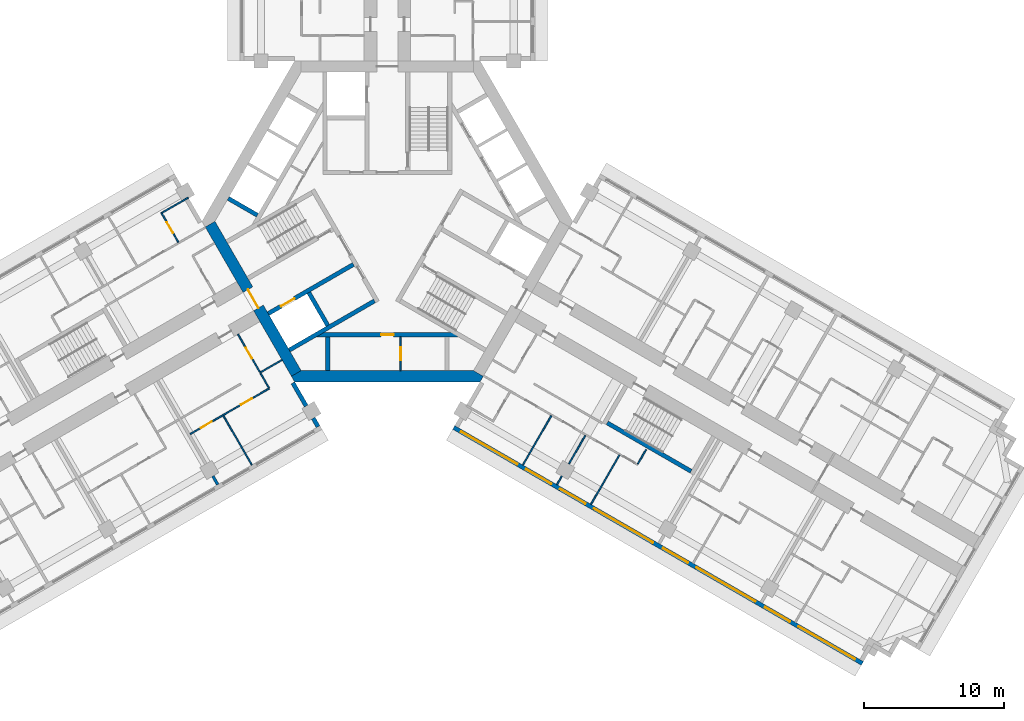
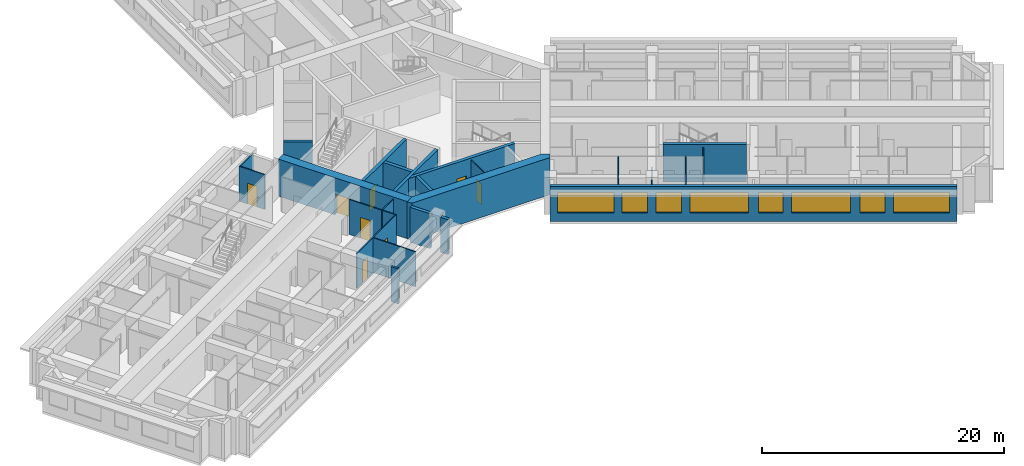
# One storey, part 6 of 14: 26 walls, 8 doors, 8 windows, 16 openings.
"""IFC4 building model written with IfcOpenShell, lengths in metres."""

import ifcopenshell
import ifcopenshell.guid

model = None  # the IFC model being written
_history = None  # IfcOwnerHistory: only IFC2X3 demands one
_inside = {}  # id of a spatial element -> (the spatial element, [elements in it])
_under = {}  # id of a project, library or spatial element -> (it, [spatial elements below it])
_declared = {}  # id of a project -> (the project, [libraries it declares])
_typed = {}  # id of a type object -> (the type object, [elements of that type])
_made_of = {}  # id of a material, layer set ... -> (it, [elements and type objects made of it])


def new_model(schema):
    """Start an empty IFC model of exactly this schema.

    Asked for "IFC4X3", IfcOpenShell would pick the latest addendum, in which some entities
    have other attributes; the version numbers below select the first issue.
    IFC2X3 requires an IfcOwnerHistory on every rooted entity: one is made here for all.
    """
    global model, _history
    if schema == "IFC4X3":
        model = ifcopenshell.file(schema_version=(4, 3, 0, 0))
    else:
        model = ifcopenshell.file(schema=schema)
    _inside.clear()
    _under.clear()
    _declared.clear()
    _typed.clear()
    _made_of.clear()
    _history = None
    if model.schema == "IFC2X3":
        org = make("IfcOrganization", Name="unknown")
        user = make(
            "IfcPersonAndOrganization",
            ThePerson=make("IfcPerson", FamilyName="unknown"),
            TheOrganization=org,
        )
        app = make(
            "IfcApplication",
            ApplicationDeveloper=org,
            Version="unknown",
            ApplicationFullName="unknown",
            ApplicationIdentifier="unknown",
        )
        _history = make(
            "IfcOwnerHistory",
            OwningUser=user,
            OwningApplication=app,
            ChangeAction="ADDED",
            CreationDate=0,
        )
    return model


def make(cls, **values):
    """One entity of the class cls with the attributes given. An attribute that is None is left unset."""
    return model.create_entity(
        cls, **{name: value for name, value in values.items() if value is not None}
    )


def rooted(cls, **values):
    """An entity with a GlobalId (a new one), such as an element, a storey or a relation."""
    return make(cls, GlobalId=ifcopenshell.guid.new(), OwnerHistory=_history, **values)


def si_unit(unit_type, name, prefix=None):
    """IfcSIUnit, for example si_unit("LENGTHUNIT", "METRE", prefix="MILLI")."""
    return make("IfcSIUnit", UnitType=unit_type, Prefix=prefix, Name=name)


def assignment(units):
    """IfcUnitAssignment: the units of a project."""
    return None if units is None else make("IfcUnitAssignment", Units=units)


def point(xyz):
    """IfcCartesianPoint."""
    return None if xyz is None else make("IfcCartesianPoint", Coordinates=xyz)


def direction(xyz):
    """IfcDirection."""
    return None if xyz is None else make("IfcDirection", DirectionRatios=xyz)


def frame(location, z_axis=None, x_axis=None):
    """IfcAxis2Placement3D, a coordinate frame: its origin and axes. An axis left out is left unset."""
    return make(
        "IfcAxis2Placement3D",
        Location=point(location),
        Axis=direction(z_axis),
        RefDirection=direction(x_axis),
    )


def frame_2d(location, x_axis=None):
    """IfcAxis2Placement2D, a coordinate frame in the plane: its origin and x axis."""
    return make(
        "IfcAxis2Placement2D", Location=point(location), RefDirection=direction(x_axis)
    )


def origin():
    """The frame at (0, 0, 0) with its axes left unset."""
    return frame((0.0, 0.0, 0.0))


def place(relative_to, where):
    """IfcLocalPlacement: puts the frame where relative to a parent placement (None: the world)."""
    return make(
        "IfcLocalPlacement", PlacementRelTo=relative_to, RelativePlacement=where
    )


def context(
    kind, dimensions, precision=None, world=None, true_north=None, identifier=None
):
    """IfcGeometricRepresentationContext, for example the 3D "Model" context."""
    return make(
        "IfcGeometricRepresentationContext",
        ContextIdentifier=identifier,
        ContextType=kind,
        CoordinateSpaceDimension=dimensions,
        Precision=precision,
        WorldCoordinateSystem=world,
        TrueNorth=true_north,
    )


def subcontext(parent, identifier, kind, view, scale=None):
    """IfcGeometricRepresentationSubContext, for example "Body" below "Model"."""
    return make(
        "IfcGeometricRepresentationSubContext",
        ContextIdentifier=identifier,
        ContextType=kind,
        ParentContext=parent,
        TargetScale=scale,
        TargetView=view,
    )


def project(units=None, contexts=None):
    """IfcProject with its units and contexts."""
    return rooted(
        "IfcProject",
        Name="project",
        RepresentationContexts=contexts,
        UnitsInContext=assignment(units),
    )


def spatial(cls, under=None, at=None, **own):
    """A site, building, storey or space (cls), placed at a placement, below another one or the project."""
    s = rooted(cls, ObjectPlacement=at, **own)
    if under is not None:
        _under.setdefault(under.id(), (under, []))[1].append(s)
    return s


def polyline(points):
    """IfcPolyline through the points."""
    return make("IfcPolyline", Points=[point(p) for p in points])


def profile(cls, at=None, kind="AREA", **sizes):
    """A parametric profile (cls). Its sizes go by their IFC names, for example OverallWidth=200.0."""
    return make(cls, ProfileType=kind, Position=at, **sizes)


def rectangle(**sizes):
    """IfcRectangleProfileDef."""
    return profile("IfcRectangleProfileDef", **sizes)


def outline(outer, holes=None, kind="AREA"):
    """IfcArbitraryClosedProfileDef: a profile drawn as a closed curve; with holes, ...WithVoids."""
    if holes is None:
        return make("IfcArbitraryClosedProfileDef", ProfileType=kind, OuterCurve=outer)
    return make(
        "IfcArbitraryProfileDefWithVoids",
        ProfileType=kind,
        OuterCurve=outer,
        InnerCurves=holes,
    )


def extrude(swept, where, along, depth):
    """IfcExtrudedAreaSolid: the profile swept, set in the frame where, extruded along a direction by depth."""
    return make(
        "IfcExtrudedAreaSolid",
        SweptArea=swept,
        Position=where,
        ExtrudedDirection=direction(along),
        Depth=depth,
    )


def shape(context_of_items, identifier, shape_type, items):
    """IfcShapeRepresentation: the items that make up one representation, for example the "Body"."""
    return make(
        "IfcShapeRepresentation",
        ContextOfItems=context_of_items,
        RepresentationIdentifier=identifier,
        RepresentationType=shape_type,
        Items=items,
    )


def material(Name=None, Category=None):
    """IfcMaterial."""
    return make("IfcMaterial", Name=Name, Category=Category)


def layer(
    of_material, thickness, ventilated=None, Name=None, Category=None, Priority=None
):
    """IfcMaterialLayer: one layer of a wall or slab, of a material (None: an air gap)."""
    return make(
        "IfcMaterialLayer",
        Material=of_material,
        LayerThickness=thickness,
        IsVentilated=ventilated,
        Name=Name,
        Category=Category,
        Priority=Priority,
    )


def layer_set(layers, Name=None):
    """IfcMaterialLayerSet."""
    return make("IfcMaterialLayerSet", MaterialLayers=layers, LayerSetName=Name)


def made_of(thing, what):
    """Note that an element or type object is made of a material, layer set ...; save() writes the relation."""
    if what is not None:
        _made_of.setdefault(what.id(), (what, []))[1].append(thing)
    return thing


def type_object(cls, material=None, **own):
    """A type object (cls), such as IfcWallType, which elements share."""
    return made_of(rooted(cls, **own), material)


def element(
    cls,
    number,
    at=None,
    inside=None,
    cuts=None,
    type_object=None,
    material=None,
    context=None,
    identifier="Body",
    shape_type=None,
    held_by="IfcProductDefinitionShape",
    body=None,
    shapes=None,
    **own,
):
    """One element of the class cls, such as IfcWall. Its Tag is "e" and its number.

    at: its placement. inside: the storey or other place that contains it. cuts: it is an
    opening in that element (IfcRelVoidsElement). A single representation is given by context,
    identifier, shape_type and body (its items); several are given by shapes. held_by: the class
    of the entity that holds the representations. save() writes the other relations.
    """
    e = rooted(cls, Tag="e%d" % number, ObjectPlacement=at, **own)
    if body is not None:
        shapes = [shape(context, identifier, shape_type, body)]
    if shapes is not None:
        e.Representation = make(held_by, Representations=shapes)
    if inside is not None:
        _inside.setdefault(inside.id(), (inside, []))[1].append(e)
    if cuts is not None:
        rooted(
            "IfcRelVoidsElement", RelatingBuildingElement=cuts, RelatedOpeningElement=e
        )
    if type_object is not None:
        _typed.setdefault(type_object.id(), (type_object, []))[1].append(e)
    return made_of(e, material)


def fill(opening, filler):
    """IfcRelFillsElement: the door or window that sits in an opening."""
    return rooted(
        "IfcRelFillsElement",
        RelatingOpeningElement=opening,
        RelatedBuildingElement=filler,
    )


def aggregate(whole, parts):
    """IfcRelAggregates: a whole, such as a stair, and the parts it consists of."""
    return rooted("IfcRelAggregates", RelatingObject=whole, RelatedObjects=parts)


def save(model, path):
    """Write the relations noted so far, then the file.

    IfcRelAggregates (storeys below a building ...), IfcRelContainedInSpatialStructure (elements
    in a storey), IfcRelDefinesByType, IfcRelAssociatesMaterial and IfcRelDeclares: one each for
    every whole, place, type object, material and project.
    """
    for whole, parts in _under.values():
        aggregate(whole, parts)
    for where, things in _inside.values():
        rooted(
            "IfcRelContainedInSpatialStructure",
            RelatedElements=things,
            RelatingStructure=where,
        )
    for kind, things in _typed.values():
        rooted("IfcRelDefinesByType", RelatedObjects=things, RelatingType=kind)
    for what, things in _made_of.values():
        rooted("IfcRelAssociatesMaterial", RelatedObjects=things, RelatingMaterial=what)
    for by, libraries in _declared.values():
        rooted("IfcRelDeclares", RelatingContext=by, RelatedDefinitions=libraries)
    model.write(path)


model = new_model("IFC4")

# Units and contexts
model_context = context("Model", 3, precision=1e-05, world=origin(), true_north=direction((0.0, 1.0)))
body_context = subcontext(model_context, "Body", "Model", "MODEL_VIEW")
ifc_project = project(units=[si_unit("LENGTHUNIT", "METRE"), si_unit("AREAUNIT", "SQUARE_METRE"), si_unit("VOLUMEUNIT", "CUBIC_METRE"), si_unit("PLANEANGLEUNIT", "RADIAN"), si_unit("MASSUNIT", "GRAM", prefix="KILO")], contexts=[model_context])

# Site, building, storey
site_placement = place(None, origin())
site = spatial("IfcSite", under=ifc_project, at=site_placement, CompositionType="ELEMENT")
building_placement = place(site_placement, origin())
building = spatial("IfcBuilding", under=site, at=building_placement, Name="Impinga Residences", CompositionType="ELEMENT")
storey_placement = place(building_placement, frame((0.0, 0.0, 117.25)))
storey = spatial("IfcBuildingStorey", under=building, at=storey_placement, Name="L28", CompositionType="ELEMENT", Elevation=117.25)

# Wall, opening, door
ifc_material_1 = material(Name="Concrete blockwork", Category="masonry")
ifc_layer_1 = layer(ifc_material_1, 0.10009765625)
ifc_layer_set_1 = layer_set([ifc_layer_1], Name="CP1 core room partition, blockwork 100")
wall_type_1 = type_object("IfcWallType", Name="CP1 core room partition, blockwork 100", PredefinedType="PARTITIONING", material=ifc_layer_set_1)
wall_1_placement = place(storey_placement, frame((0.949951171875, -8.2314453125, 0.0), z_axis=(0.0, 0.0, 1.0), x_axis=(0.0, -1.0, 0.0)))
wall_1 = element("IfcWall", 1, at=wall_1_placement, inside=storey, type_object=wall_type_1, Name="Core room partition, blockwork L28:CORE:low:ZP1", PredefinedType="PARTITIONING", context=body_context, shape_type="SweptSolid", body=[
    extrude(rectangle(XDim=2.400146484375, YDim=0.10009765625, at=frame_2d((1.2001953125, 0.0))), origin(), (0.0, 0.0, 1.0), 3.530029296875),
])
opening_1_placement = place(wall_1_placement, frame((0.75, 0.0, 0.0)))
opening_1 = element("IfcOpeningElement", 2, at=opening_1_placement, cuts=wall_1, Name="Opening D6", PredefinedType="OPENING", context=body_context, shape_type="SweptSolid", body=[
    extrude(rectangle(XDim=0.89990234375, YDim=2.10009765625, at=frame_2d((0.449951171875, 1.050048828125))), frame((0.0, 0.06005859375, 0.0), z_axis=(0.0, -1.0, 0.0), x_axis=(1.0, 0.0, 0.0)), (0.0, 0.0, 1.0), 0.1201171875),
])
ifc_material_2 = material(Name="Timber door set", Category="wood")
door_type_1 = type_object("IfcDoorType", Name="D6 riser and store door 900x2100", OperationType="SINGLE_SWING_LEFT", PredefinedType="DOOR", material=ifc_material_2)
door_1_placement = place(opening_1_placement, origin())
door_1 = element("IfcDoor", 3, at=door_1_placement, inside=storey, type_object=door_type_1, Name="Staff WC door", OperationType="SINGLE_SWING_LEFT", OverallHeight=2.10009765625, OverallWidth=0.89990234375, PredefinedType="DOOR", context=body_context, shape_type="SweptSolid", body=[
    extrude(rectangle(XDim=0.89990234375, YDim=2.10009765625, at=frame_2d((0.449951171875, 1.050048828125))), frame((0.0, 0.02490234375, 0.0), z_axis=(0.0, -1.0, 0.0), x_axis=(1.0, 0.0, 0.0)), (0.0, 0.0, 1.0), 0.050048828125),
])
fill(opening_1, door_1)

# Wall, openings, windows
ifc_material_3 = material(Name="Terracotta rainscreen on blockwork", Category="masonry")
ifc_layer_2 = layer(ifc_material_3, 0.300048828125)
ifc_layer_set_2 = layer_set([ifc_layer_2], Name="EW1 external wall, terracotta rainscreen on blockwork 300")
wall_type_2 = type_object("IfcWallType", Name="EW1 external wall, terracotta rainscreen on blockwork 300", PredefinedType="SOLIDWALL", material=ifc_layer_set_2)
wall_2_placement = place(storey_placement, frame((33.823486328125, -31.479248046875, 0.0), z_axis=(0.0, 0.0, 1.0), x_axis=(-0.866024291668, 0.500001926238, 0.0)))
wall_2 = element("IfcWall", 4, at=wall_2_placement, inside=storey, type_object=wall_type_2, Name="External wall EW1 L28", PredefinedType="SOLIDWALL", context=body_context, shape_type="SweptSolid", body=[
    extrude(rectangle(XDim=33.599853515625, YDim=0.300048828125, at=frame_2d((16.7998046875, 0.0))), origin(), (0.0, 0.0, 1.0), 3.530029296875),
])
opening_2_placement = place(wall_2_placement, frame((0.60009765625, 0.0, 0.89990234375)))
opening_2 = element("IfcOpeningElement", 5, at=opening_2_placement, cuts=wall_2, Name="Opening W10", PredefinedType="OPENING", context=body_context, shape_type="SweptSolid", body=[
    extrude(rectangle(XDim=4.64990234375, YDim=2.050048828125, at=frame_2d((2.324951171875, 1.02490234375))), frame((0.0, 0.159912109375, 0.0), z_axis=(0.0, -1.0, 0.0), x_axis=(1.0, 0.0, 0.0)), (0.0, 0.0, 1.0), 0.320068359375),
])
opening_3_placement = place(wall_2_placement, frame((5.949951171875, 0.0, 0.89990234375)))
opening_3 = element("IfcOpeningElement", 6, at=opening_3_placement, cuts=wall_2, Name="Opening W14", PredefinedType="OPENING", context=body_context, shape_type="SweptSolid", body=[
    extrude(rectangle(XDim=2.050048828125, YDim=2.050048828125, at=frame_2d((1.02490234375, 1.02490234375))), frame((0.0, 0.159912109375, 0.0), z_axis=(0.0, -1.0, 0.0), x_axis=(1.0, 0.0, 0.0)), (0.0, 0.0, 1.0), 0.320068359375),
])
opening_4_placement = place(wall_2_placement, frame((8.800048828125, 0.0, 0.89990234375)))
opening_4 = element("IfcOpeningElement", 7, at=opening_4_placement, cuts=wall_2, Name="Opening W6", PredefinedType="OPENING", context=body_context, shape_type="SweptSolid", body=[
    extrude(rectangle(XDim=4.85009765625, YDim=2.050048828125, at=frame_2d((2.425048828125, 1.02490234375))), frame((0.0, 0.159912109375, 0.0), z_axis=(0.0, -1.0, 0.0), x_axis=(1.0, 0.0, 0.0)), (0.0, 0.0, 1.0), 0.320068359375),
])
opening_5_placement = place(wall_2_placement, frame((14.35009765625, 0.0, 0.89990234375)))
opening_5 = element("IfcOpeningElement", 8, at=opening_5_placement, cuts=wall_2, Name="Opening W14", PredefinedType="OPENING", context=body_context, shape_type="SweptSolid", body=[
    extrude(rectangle(XDim=2.050048828125, YDim=2.050048828125, at=frame_2d((1.02490234375, 1.02490234375))), frame((0.0, 0.159912109375, 0.0), z_axis=(0.0, -1.0, 0.0), x_axis=(1.0, 0.0, 0.0)), (0.0, 0.0, 1.0), 0.320068359375),
])
opening_6_placement = place(wall_2_placement, frame((17.199951171875, 0.0, 0.89990234375)))
opening_6 = element("IfcOpeningElement", 9, at=opening_6_placement, cuts=wall_2, Name="Opening W6", PredefinedType="OPENING", context=body_context, shape_type="SweptSolid", body=[
    extrude(rectangle(XDim=4.85009765625, YDim=2.050048828125, at=frame_2d((2.425048828125, 1.02490234375))), frame((0.0, 0.159912109375, 0.0), z_axis=(0.0, -1.0, 0.0), x_axis=(1.0, 0.0, 0.0)), (0.0, 0.0, 1.0), 0.320068359375),
])
opening_7_placement = place(wall_2_placement, frame((22.75, 0.0, 0.89990234375)))
opening_7 = element("IfcOpeningElement", 10, at=opening_7_placement, cuts=wall_2, Name="Opening W9", PredefinedType="OPENING", context=body_context, shape_type="SweptSolid", body=[
    extrude(rectangle(XDim=2.10009765625, YDim=2.050048828125, at=frame_2d((1.050048828125, 1.02490234375))), frame((0.0, 0.159912109375, 0.0), z_axis=(0.0, -1.0, 0.0), x_axis=(1.0, 0.0, 0.0)), (0.0, 0.0, 1.0), 0.320068359375),
])
opening_8_placement = place(wall_2_placement, frame((25.550048828125, 0.0, 0.89990234375)))
opening_8 = element("IfcOpeningElement", 11, at=opening_8_placement, cuts=wall_2, Name="Opening W9", PredefinedType="OPENING", context=body_context, shape_type="SweptSolid", body=[
    extrude(rectangle(XDim=2.10009765625, YDim=2.050048828125, at=frame_2d((1.050048828125, 1.02490234375))), frame((0.0, 0.159912109375, 0.0), z_axis=(0.0, -1.0, 0.0), x_axis=(1.0, 0.0, 0.0)), (0.0, 0.0, 1.0), 0.320068359375),
])
opening_9_placement = place(wall_2_placement, frame((28.35009765625, 0.0, 0.89990234375)))
opening_9 = element("IfcOpeningElement", 12, at=opening_9_placement, cuts=wall_2, Name="Opening W10", PredefinedType="OPENING", context=body_context, shape_type="SweptSolid", body=[
    extrude(rectangle(XDim=4.64990234375, YDim=2.050048828125, at=frame_2d((2.324951171875, 1.02490234375))), frame((0.0, 0.159912109375, 0.0), z_axis=(0.0, -1.0, 0.0), x_axis=(1.0, 0.0, 0.0)), (0.0, 0.0, 1.0), 0.320068359375),
])
ifc_material_4 = material(Name="Aluminium window, clear double glazing", Category="aluminium")
window_type_1 = type_object("IfcWindowType", Name="W10 ribbon window 4650x2050", PartitioningType="SINGLE_PANEL", PredefinedType="WINDOW", material=ifc_material_4)
window_1_placement = place(opening_2_placement, origin())
window_1 = element("IfcWindow", 13, at=window_1_placement, inside=storey, type_object=window_type_1, Name="Window L28", OverallHeight=2.050048828125, OverallWidth=4.64990234375, PartitioningType="SINGLE_PANEL", PredefinedType="WINDOW", context=body_context, shape_type="SweptSolid", body=[
    extrude(rectangle(XDim=4.64990234375, YDim=2.050048828125, at=frame_2d((2.324951171875, 1.02490234375))), frame((0.0, 0.030029296875, 0.0), z_axis=(0.0, -1.0, 0.0), x_axis=(1.0, 0.0, 0.0)), (0.0, 0.0, 1.0), 0.06005859375),
])
fill(opening_2, window_1)
window_2_placement = place(opening_9_placement, origin())
window_2 = element("IfcWindow", 14, at=window_2_placement, inside=storey, type_object=window_type_1, Name="Window L28", OverallHeight=2.050048828125, OverallWidth=4.64990234375, PartitioningType="SINGLE_PANEL", PredefinedType="WINDOW", context=body_context, shape_type="SweptSolid", body=[
    extrude(rectangle(XDim=4.64990234375, YDim=2.050048828125, at=frame_2d((2.324951171875, 1.02490234375))), frame((0.0, 0.030029296875, 0.0), z_axis=(0.0, -1.0, 0.0), x_axis=(1.0, 0.0, 0.0)), (0.0, 0.0, 1.0), 0.06005859375),
])
fill(opening_9, window_2)
window_type_2 = type_object("IfcWindowType", Name="W14 ribbon window 2050x2050", PartitioningType="SINGLE_PANEL", PredefinedType="WINDOW", material=ifc_material_4)
window_3_placement = place(opening_3_placement, origin())
window_3 = element("IfcWindow", 15, at=window_3_placement, inside=storey, type_object=window_type_2, Name="Window L28", OverallHeight=2.050048828125, OverallWidth=2.050048828125, PartitioningType="SINGLE_PANEL", PredefinedType="WINDOW", context=body_context, shape_type="SweptSolid", body=[
    extrude(rectangle(XDim=2.050048828125, YDim=2.050048828125, at=frame_2d((1.02490234375, 1.02490234375))), frame((0.0, 0.030029296875, 0.0), z_axis=(0.0, -1.0, 0.0), x_axis=(1.0, 0.0, 0.0)), (0.0, 0.0, 1.0), 0.06005859375),
])
fill(opening_3, window_3)
window_4_placement = place(opening_5_placement, origin())
window_4 = element("IfcWindow", 16, at=window_4_placement, inside=storey, type_object=window_type_2, Name="Window L28", OverallHeight=2.050048828125, OverallWidth=2.050048828125, PartitioningType="SINGLE_PANEL", PredefinedType="WINDOW", context=body_context, shape_type="SweptSolid", body=[
    extrude(rectangle(XDim=2.050048828125, YDim=2.050048828125, at=frame_2d((1.02490234375, 1.02490234375))), frame((0.0, 0.030029296875, 0.0), z_axis=(0.0, -1.0, 0.0), x_axis=(1.0, 0.0, 0.0)), (0.0, 0.0, 1.0), 0.06005859375),
])
fill(opening_5, window_4)
window_type_3 = type_object("IfcWindowType", Name="W6 ribbon window 4850x2050", PartitioningType="SINGLE_PANEL", PredefinedType="WINDOW", material=ifc_material_4)
window_5_placement = place(opening_4_placement, origin())
window_5 = element("IfcWindow", 17, at=window_5_placement, inside=storey, type_object=window_type_3, Name="Window L28", OverallHeight=2.050048828125, OverallWidth=4.85009765625, PartitioningType="SINGLE_PANEL", PredefinedType="WINDOW", context=body_context, shape_type="SweptSolid", body=[
    extrude(rectangle(XDim=4.85009765625, YDim=2.050048828125, at=frame_2d((2.425048828125, 1.02490234375))), frame((0.0, 0.030029296875, 0.0), z_axis=(0.0, -1.0, 0.0), x_axis=(1.0, 0.0, 0.0)), (0.0, 0.0, 1.0), 0.06005859375),
])
fill(opening_4, window_5)
window_6_placement = place(opening_6_placement, origin())
window_6 = element("IfcWindow", 18, at=window_6_placement, inside=storey, type_object=window_type_3, Name="Window L28", OverallHeight=2.050048828125, OverallWidth=4.85009765625, PartitioningType="SINGLE_PANEL", PredefinedType="WINDOW", context=body_context, shape_type="SweptSolid", body=[
    extrude(rectangle(XDim=4.85009765625, YDim=2.050048828125, at=frame_2d((2.425048828125, 1.02490234375))), frame((0.0, 0.030029296875, 0.0), z_axis=(0.0, -1.0, 0.0), x_axis=(1.0, 0.0, 0.0)), (0.0, 0.0, 1.0), 0.06005859375),
])
fill(opening_6, window_6)
window_type_4 = type_object("IfcWindowType", Name="W9 ribbon window 2100x2050", PartitioningType="SINGLE_PANEL", PredefinedType="WINDOW", material=ifc_material_4)
window_7_placement = place(opening_7_placement, origin())
window_7 = element("IfcWindow", 19, at=window_7_placement, inside=storey, type_object=window_type_4, Name="Window L28", OverallHeight=2.050048828125, OverallWidth=2.10009765625, PartitioningType="SINGLE_PANEL", PredefinedType="WINDOW", context=body_context, shape_type="SweptSolid", body=[
    extrude(rectangle(XDim=2.10009765625, YDim=2.050048828125, at=frame_2d((1.050048828125, 1.02490234375))), frame((0.0, 0.030029296875, 0.0), z_axis=(0.0, -1.0, 0.0), x_axis=(1.0, 0.0, 0.0)), (0.0, 0.0, 1.0), 0.06005859375),
])
fill(opening_7, window_7)
window_8_placement = place(opening_8_placement, origin())
window_8 = element("IfcWindow", 20, at=window_8_placement, inside=storey, type_object=window_type_4, Name="Window L28", OverallHeight=2.050048828125, OverallWidth=2.10009765625, PartitioningType="SINGLE_PANEL", PredefinedType="WINDOW", context=body_context, shape_type="SweptSolid", body=[
    extrude(rectangle(XDim=2.10009765625, YDim=2.050048828125, at=frame_2d((1.050048828125, 1.02490234375))), frame((0.0, 0.030029296875, 0.0), z_axis=(0.0, -1.0, 0.0), x_axis=(1.0, 0.0, 0.0)), (0.0, 0.0, 1.0), 0.06005859375),
])
fill(opening_8, window_8)

# Walls
wall_3_placement = place(storey_placement, frame((-6.72998046875, -11.506591796875, 0.0), z_axis=(0.0, 0.0, 1.0), x_axis=(0.500063520245, -0.865988727248, 0.0)))
element("IfcWall", 21, at=wall_3_placement, inside=storey, type_object=wall_type_2, Name="External wall EW1 L28", PredefinedType="SOLIDWALL", context=body_context, shape_type="SweptSolid", body=[
    extrude(rectangle(XDim=1.900146484375, YDim=0.300048828125, at=frame_2d((0.9501953125, 0.0))), origin(), (0.0, 0.0, 1.0), 3.530029296875),
])
wall_4_placement = place(storey_placement, frame((-5.27978515625, -14.01806640625, 0.0), z_axis=(0.0, 0.0, 1.0), x_axis=(0.499853302173, -0.866110083249, 0.0)))
element("IfcWall", 22, at=wall_4_placement, inside=storey, type_object=wall_type_2, Name="External wall EW1 L28", PredefinedType="SOLIDWALL", context=body_context, shape_type="SweptSolid", body=[
    extrude(rectangle(XDim=0.699951171875, YDim=0.300048828125, at=frame_2d((0.35009765625, 0.0))), origin(), (0.0, 0.0, 1.0), 3.530029296875),
])
ifc_material_5 = material(Name="Gypsum board on steel studs", Category="steel")
ifc_layer_3 = layer(ifc_material_5, 0.10009765625)
ifc_layer_set_3 = layer_set([ifc_layer_3], Name="Gypsum board on steel studs")
wall_type_3 = type_object("IfcWallType", Name="IP1 partition 100", PredefinedType="PARTITIONING", material=ifc_layer_set_3)
wall_5_placement = place(storey_placement, frame((-7.5, -9.872802734375, 0.0), z_axis=(0.0, 0.0, 1.0), x_axis=(-0.866047807691, -0.499961193289, 0.0)))
element("IfcWall", 23, at=wall_5_placement, inside=storey, type_object=wall_type_3, Name="Partition L28-WA1:DIV0", PredefinedType="PARTITIONING", context=body_context, shape_type="SweptSolid", body=[
    extrude(rectangle(XDim=1.800048828125, YDim=0.10009765625, at=frame_2d((0.89990234375, 0.0))), origin(), (0.0, 0.0, 1.0), 3.530029296875),
])

# Wall, openings, doors
wall_6_placement = place(storey_placement, frame((-8.408935546875, -11.8984375, 0.0), z_axis=(0.0, 0.0, 1.0), x_axis=(-0.866024837091, -0.50000098154, 0.0)))
wall_6 = element("IfcWall", 24, at=wall_6_placement, inside=storey, type_object=wall_type_3, Name="Partition L28-WA1:STRIP", PredefinedType="PARTITIONING", context=body_context, shape_type="SweptSolid", body=[
    extrude(rectangle(XDim=6.5, YDim=0.10009765625, at=frame_2d((3.25, 0.0))), origin(), (0.0, 0.0, 1.0), 3.530029296875),
])
opening_10_placement = place(wall_6_placement, frame((1.425048828125, 0.0, 0.0)))
opening_10 = element("IfcOpeningElement", 25, at=opening_10_placement, cuts=wall_6, Name="Opening D2", PredefinedType="OPENING", context=body_context, shape_type="SweptSolid", body=[
    extrude(rectangle(XDim=0.89990234375, YDim=2.10009765625, at=frame_2d((0.449951171875, 1.050048828125))), frame((0.0, 0.06005859375, 0.0), z_axis=(0.0, -1.0, 0.0), x_axis=(1.0, 0.0, 0.0)), (0.0, 0.0, 1.0), 0.1201171875),
])
opening_11_placement = place(wall_6_placement, frame((4.72509765625, 0.0, 0.0)))
opening_11 = element("IfcOpeningElement", 26, at=opening_11_placement, cuts=wall_6, Name="Opening D2", PredefinedType="OPENING", context=body_context, shape_type="SweptSolid", body=[
    extrude(rectangle(XDim=0.89990234375, YDim=2.10009765625, at=frame_2d((0.449951171875, 1.050048828125))), frame((0.0, 0.06005859375, 0.0), z_axis=(0.0, -1.0, 0.0), x_axis=(1.0, 0.0, 0.0)), (0.0, 0.0, 1.0), 0.1201171875),
])
door_type_2 = type_object("IfcDoorType", Name="D2 internal door 900x2100", OperationType="SINGLE_SWING_LEFT", PredefinedType="DOOR", material=ifc_material_2)
door_2_placement = place(opening_10_placement, origin())
door_2 = element("IfcDoor", 27, at=door_2_placement, inside=storey, type_object=door_type_2, Name="Apartment L28-WA1 room door", OperationType="SINGLE_SWING_LEFT", OverallHeight=2.10009765625, OverallWidth=0.89990234375, PredefinedType="DOOR", context=body_context, shape_type="SweptSolid", body=[
    extrude(rectangle(XDim=0.89990234375, YDim=2.10009765625, at=frame_2d((0.449951171875, 1.050048828125))), frame((0.0, 0.02490234375, 0.0), z_axis=(0.0, -1.0, 0.0), x_axis=(1.0, 0.0, 0.0)), (0.0, 0.0, 1.0), 0.050048828125),
])
fill(opening_10, door_2)
door_3_placement = place(opening_11_placement, origin())
door_3 = element("IfcDoor", 28, at=door_3_placement, inside=storey, type_object=door_type_2, Name="Apartment L28-WA1 room door", OperationType="SINGLE_SWING_RIGHT", OverallHeight=2.10009765625, OverallWidth=0.89990234375, PredefinedType="DOOR", context=body_context, shape_type="SweptSolid", body=[
    extrude(rectangle(XDim=0.89990234375, YDim=2.10009765625, at=frame_2d((0.449951171875, 1.050048828125))), frame((0.0, 0.02490234375, 0.0), z_axis=(0.0, -1.0, 0.0), x_axis=(1.0, 0.0, 0.0)), (0.0, 0.0, 1.0), 0.050048828125),
])
fill(opening_11, door_3)

# Wall
wall_7_placement = place(storey_placement, frame((-9.033935546875, -10.81591796875, 0.0), z_axis=(0.0, 0.0, 1.0), x_axis=(0.500033551112, -0.866006032174, 0.0)))
element("IfcWall", 29, at=wall_7_placement, inside=storey, type_object=wall_type_3, Name="Partition L28-WA1:SE0", PredefinedType="PARTITIONING", context=body_context, shape_type="SweptSolid", body=[
    extrude(rectangle(XDim=1.2001953125, YDim=0.10009765625, at=frame_2d((0.60009765625, 0.0))), origin(), (0.0, 0.0, 1.0), 3.530029296875),
])

# Wall, opening, door
wall_8_placement = place(storey_placement, frame((-10.6337890625, -8.044677734375, 0.0), z_axis=(0.0, 0.0, 1.0), x_axis=(0.49999285859, -0.86602952684, 0.0)))
wall_8 = element("IfcWall", 30, at=wall_8_placement, inside=storey, type_object=wall_type_3, Name="Partition L28-WA1:IB1", PredefinedType="PARTITIONING", context=body_context, shape_type="SweptSolid", body=[
    extrude(rectangle(XDim=3.10009765625, YDim=0.10009765625, at=frame_2d((1.550048828125, 0.0))), origin(), (0.0, 0.0, 1.0), 3.530029296875),
])
opening_12_placement = place(wall_8_placement, frame((1.10009765625, 0.0, 0.0)))
opening_12 = element("IfcOpeningElement", 31, at=opening_12_placement, cuts=wall_8, Name="Opening D2", PredefinedType="OPENING", context=body_context, shape_type="SweptSolid", body=[
    extrude(rectangle(XDim=0.89990234375, YDim=2.10009765625, at=frame_2d((0.449951171875, 1.050048828125))), frame((0.0, 0.06005859375, 0.0), z_axis=(0.0, -1.0, 0.0), x_axis=(1.0, 0.0, 0.0)), (0.0, 0.0, 1.0), 0.1201171875),
])
door_4_placement = place(opening_12_placement, origin())
door_4 = element("IfcDoor", 32, at=door_4_placement, inside=storey, type_object=door_type_2, Name="Apartment L28-WA1 bathroom door", OperationType="SINGLE_SWING_LEFT", OverallHeight=2.10009765625, OverallWidth=0.89990234375, PredefinedType="DOOR", context=body_context, shape_type="SweptSolid", body=[
    extrude(rectangle(XDim=0.89990234375, YDim=2.10009765625, at=frame_2d((0.449951171875, 1.050048828125))), frame((0.0, 0.02490234375, 0.0), z_axis=(0.0, -1.0, 0.0), x_axis=(1.0, 0.0, 0.0)), (0.0, 0.0, 1.0), 0.050048828125),
])
fill(opening_12, door_4)

# Wall
wall_9_placement = place(storey_placement, frame((-11.6748046875, -13.841796875, 0.0), z_axis=(0.0, 0.0, 1.0), x_axis=(0.500035537042, -0.866004885491, 0.0)))
element("IfcWall", 33, at=wall_9_placement, inside=storey, type_object=wall_type_3, Name="Partition L28-WA1:OB1", PredefinedType="PARTITIONING", context=body_context, shape_type="SweptSolid", body=[
    extrude(rectangle(XDim=4.050048828125, YDim=0.10009765625, at=frame_2d((2.02490234375, 0.0))), origin(), (0.0, 0.0, 1.0), 3.530029296875),
])

# Wall, opening, door
wall_10_placement = place(storey_placement, frame((-14.88037109375, -1.48974609375, 0.0), z_axis=(0.0, 0.0, 1.0), x_axis=(-0.499943856944, 0.866057815567, 0.0)))
wall_10 = element("IfcWall", 34, at=wall_10_placement, inside=storey, type_object=wall_type_3, Name="Partition L28-WF1:EN1", PredefinedType="PARTITIONING", context=body_context, shape_type="SweptSolid", body=[
    extrude(rectangle(XDim=2.449951171875, YDim=0.10009765625, at=frame_2d((1.22509765625, 0.0))), origin(), (0.0, 0.0, 1.0), 3.530029296875),
])
opening_13_placement = place(wall_10_placement, frame((0.75, 0.0, 0.0)))
opening_13 = element("IfcOpeningElement", 35, at=opening_13_placement, cuts=wall_10, Name="Opening D2", PredefinedType="OPENING", context=body_context, shape_type="SweptSolid", body=[
    extrude(rectangle(XDim=0.89990234375, YDim=2.10009765625, at=frame_2d((0.449951171875, 1.050048828125))), frame((0.0, 0.06005859375, 0.0), z_axis=(0.0, -1.0, 0.0), x_axis=(1.0, 0.0, 0.0)), (0.0, 0.0, 1.0), 0.1201171875),
])
door_5_placement = place(opening_13_placement, origin())
door_5 = element("IfcDoor", 36, at=door_5_placement, inside=storey, type_object=door_type_2, Name="Apartment L28-WF1 en-suite door", OperationType="SINGLE_SWING_LEFT", OverallHeight=2.10009765625, OverallWidth=0.89990234375, PredefinedType="DOOR", context=body_context, shape_type="SweptSolid", body=[
    extrude(rectangle(XDim=0.89990234375, YDim=2.10009765625, at=frame_2d((0.449951171875, 1.050048828125))), frame((0.0, 0.02490234375, 0.0), z_axis=(0.0, -1.0, 0.0), x_axis=(1.0, 0.0, 0.0)), (0.0, 0.0, 1.0), 0.050048828125),
])
fill(opening_13, door_5)

# Walls
wall_11_placement = place(storey_placement, frame((-14.175048828125, 1.688720703125, 0.0), z_axis=(0.0, 0.0, 1.0), x_axis=(-0.866019166195, -0.500010803666, 0.0)))
element("IfcWall", 37, at=wall_11_placement, inside=storey, type_object=wall_type_3, Name="Partition L28-WF1:EN2", PredefinedType="PARTITIONING", context=body_context, shape_type="SweptSolid", body=[
    extrude(rectangle(XDim=2.14990234375, YDim=0.10009765625, at=frame_2d((1.074951171875, 0.0))), origin(), (0.0, 0.0, 1.0), 3.530029296875),
])
wall_12_placement = place(storey_placement, frame((18.43017578125, -16.240966796875, 0.0), z_axis=(0.0, 0.0, 1.0), x_axis=(-0.499880961361, -0.866094119867, 0.0)))
element("IfcWall", 38, at=wall_12_placement, inside=storey, type_object=wall_type_3, Name="Partition L28-EF1:SE1", PredefinedType="PARTITIONING", context=body_context, shape_type="SweptSolid", body=[
    extrude(rectangle(XDim=1.199951171875, YDim=0.10009765625, at=frame_2d((0.60009765625, 0.0))), origin(), (0.0, 0.0, 1.0), 3.530029296875),
])
wall_13_placement = place(storey_placement, frame((11.6748046875, -13.841796875, 0.0), z_axis=(0.0, 0.0, 1.0), x_axis=(-0.500035537042, -0.866004885491, 0.0)))
element("IfcWall", 39, at=wall_13_placement, inside=storey, type_object=wall_type_3, Name="Partition L28-EF1:OB1", PredefinedType="PARTITIONING", context=body_context, shape_type="SweptSolid", body=[
    extrude(rectangle(XDim=4.050048828125, YDim=0.10009765625, at=frame_2d((2.02490234375, 0.0))), origin(), (0.0, 0.0, 1.0), 3.530029296875),
])
wall_14_placement = place(storey_placement, frame((14.099609375, -15.241943359375, 0.0), z_axis=(0.0, 0.0, 1.0), x_axis=(-0.500016218704, -0.866016039709, 0.0)))
element("IfcWall", 40, at=wall_14_placement, inside=storey, type_object=wall_type_3, Name="Partition L28-EF1:OB2", PredefinedType="PARTITIONING", context=body_context, shape_type="SweptSolid", body=[
    extrude(rectangle(XDim=2.35009765625, YDim=0.10009765625, at=frame_2d((1.175048828125, 0.0))), origin(), (0.0, 0.0, 1.0), 2.47998046875),
])
wall_15_placement = place(storey_placement, frame((12.424560546875, -18.14306640625, 0.0), z_axis=(0.0, 0.0, 1.0), x_axis=(-0.499853302173, -0.866110083249, 0.0)))
element("IfcWall", 41, at=wall_15_placement, inside=storey, type_object=wall_type_3, Name="Partition L28-EF1:OB2b", PredefinedType="PARTITIONING", context=body_context, shape_type="SweptSolid", body=[
    extrude(rectangle(XDim=0.699951171875, YDim=0.10009765625, at=frame_2d((0.35009765625, 0.0))), origin(), (0.0, 0.0, 1.0), 3.530029296875),
])
wall_16_placement = place(storey_placement, frame((16.5244140625, -16.641845703125, 0.0), z_axis=(0.0, 0.0, 1.0), x_axis=(-0.499990325971, -0.866030989016, 0.0)))
element("IfcWall", 42, at=wall_16_placement, inside=storey, type_object=wall_type_3, Name="Partition L28-EF1:OB3", PredefinedType="PARTITIONING", context=body_context, shape_type="SweptSolid", body=[
    extrude(rectangle(XDim=4.0498046875, YDim=0.10009765625, at=frame_2d((2.02490234375, 0.0))), origin(), (0.0, 0.0, 1.0), 3.530029296875),
])
ifc_layer_4 = layer(ifc_material_1, 0.199951171875)
ifc_layer_set_4 = layer_set([ifc_layer_4], Name="PW1 party wall between apartments 200")
wall_type_4 = type_object("IfcWallType", Name="PW1 party wall between apartments 200", PredefinedType="SOLIDWALL", material=ifc_layer_set_4)
wall_17_placement = place(storey_placement, frame((-12.424560546875, -18.14306640625, 0.0), z_axis=(0.0, 0.0, 1.0), x_axis=(0.499853302173, -0.866110083249, 0.0)))
element("IfcWall", 43, at=wall_17_placement, inside=storey, type_object=wall_type_4, Name="Party wall between apartments L28-WA1:PARTYb", PredefinedType="SOLIDWALL", context=body_context, shape_type="SweptSolid", body=[
    extrude(rectangle(XDim=0.699951171875, YDim=0.199951171875, at=frame_2d((0.35009765625, 0.0))), origin(), (0.0, 0.0, 1.0), 3.530029296875),
])
ifc_material_6 = material(Name="Concrete C60/75", Category="concrete")
ifc_layer_5 = layer(ifc_material_6, 0.300048828125)
ifc_layer_set_5 = layer_set([ifc_layer_5], Name="Concrete C60/75")
wall_type_5 = type_object("IfcWallType", Name="SE1 wing stair enclosure wall 300", PredefinedType="SOLIDWALL", material=ifc_layer_set_5)
wall_18_placement = place(storey_placement, frame((15.654052734375, -14.349365234375, 0.0), z_axis=(0.0, 0.0, 1.0), x_axis=(0.866013532718, -0.500020560727, 0.0)))
element("IfcWall", 44, at=wall_18_placement, inside=storey, type_object=wall_type_5, Name="Stair enclosure wall SE1 E OUT L28", PredefinedType="SOLIDWALL", context=body_context, shape_type="SweptSolid", body=[
    extrude(rectangle(XDim=6.900146484375, YDim=0.300048828125, at=frame_2d((3.4501953125, 0.0))), origin(), (0.0, 0.0, 1.0), 3.75),
])

# Wall, opening, door
ifc_layer_6 = layer(ifc_material_6, 0.800048828125)
ifc_layer_set_6 = layer_set([ifc_layer_6], Name="Concrete C60/75")
wall_type_6 = type_object("IfcWallType", Name="SW2 core wall 800", PredefinedType="SHEAR", material=ifc_layer_set_6)
wall_19_placement = place(storey_placement, frame((-6.484619140625, -10.83154296875, 0.0), z_axis=(0.0, 0.0, 1.0), x_axis=(-0.499986991068, 0.866032914365, 0.0)))
wall_19 = element("IfcWall", 45, at=wall_19_placement, inside=storey, type_object=wall_type_6, Name="Core wall SW2 W:FACE L28", PredefinedType="SHEAR", context=body_context, shape_type="SweptSolid", body=[
    extrude(rectangle(XDim=12.276123046875, YDim=0.800048828125, at=frame_2d((6.13818359375, 0.0))), origin(), (0.0, 0.0, 1.0), 3.75),
])
opening_14_placement = place(wall_19_placement, frame((5.38818359375, 0.0, 0.0)))
opening_14 = element("IfcOpeningElement", 46, at=opening_14_placement, cuts=wall_19, Name="Opening D4", PredefinedType="OPENING", context=body_context, shape_type="SweptSolid", body=[
    extrude(rectangle(XDim=1.5, YDim=2.10009765625, at=frame_2d((0.75, 1.050048828125))), frame((0.0, 0.409912109375, 0.0), z_axis=(0.0, -1.0, 0.0), x_axis=(1.0, 0.0, 0.0)), (0.0, 0.0, 1.0), 0.820068359375),
])
door_type_3 = type_object("IfcDoorType", Name="D4 lobby door pair 1500x2100", OperationType="DOUBLE_DOOR_DOUBLE_SWING", PredefinedType="DOOR", material=ifc_material_2)
door_6_placement = place(opening_14_placement, origin())
door_6 = element("IfcDoor", 47, at=door_6_placement, inside=storey, type_object=door_type_3, Name="Lobby door W", OperationType="DOUBLE_DOOR_DOUBLE_SWING", OverallHeight=2.10009765625, OverallWidth=1.5, PredefinedType="DOOR", context=body_context, shape_type="SweptSolid", body=[
    extrude(rectangle(XDim=1.5, YDim=2.10009765625, at=frame_2d((0.75, 1.050048828125))), frame((0.0, 0.02490234375, 0.0), z_axis=(0.0, -1.0, 0.0), x_axis=(1.0, 0.0, 0.0)), (0.0, 0.0, 1.0), 0.050048828125),
])
fill(opening_14, door_6)

# Wall
wall_20_placement = place(storey_placement, origin())
element("IfcWall", 48, at=wall_20_placement, inside=storey, type_object=wall_type_6, Name="Core wall SW2 N:EXPOSED L28", PredefinedType="SHEAR", context=body_context, shape_type="SweptSolid", body=[
    extrude(outline(polyline([(-6.60009765625, -11.431640625), (6.60009765625, -11.431640625), (6.8310546875, -11.031494140625), (6.13818359375, -10.631591796875), (-6.13818359375, -10.631591796875), (-6.8310546875, -11.031494140625), (-6.60009765625, -11.431640625)])), origin(), (0.0, 0.0, 1.0), 3.75),
])

# Wall, opening, door
ifc_material_7 = material(Name="Concrete C70/85", Category="concrete")
ifc_layer_7 = layer(ifc_material_7, 0.300048828125)
ifc_layer_set_7 = layer_set([ifc_layer_7], Name="Concrete C70/85")
wall_type_7 = type_object("IfcWallType", Name="SW5 core inner wall, stairs, shafts and lobbies 300", PredefinedType="SHEAR", material=ifc_layer_set_7)
wall_21_placement = place(storey_placement, frame((-2.418701171875, -3.07080078125, 0.0), z_axis=(0.0, 0.0, 1.0), x_axis=(-0.866026480128, -0.499998135713, 0.0)))
wall_21 = element("IfcWall", 49, at=wall_21_placement, inside=storey, type_object=wall_type_7, Name="Core wall SW5 W:FF-IN L28", PredefinedType="SHEAR", context=body_context, shape_type="SweptSolid", body=[
    extrude(rectangle(XDim=7.00146484375, YDim=0.300048828125, at=frame_2d((3.500732421875, 0.0))), origin(), (0.0, 0.0, 1.0), 3.75),
])
opening_15_placement = place(wall_21_placement, frame((4.85009765625, 0.0, 0.0)))
opening_15 = element("IfcOpeningElement", 50, at=opening_15_placement, cuts=wall_21, Name="Opening LD2", PredefinedType="OPENING", context=body_context, shape_type="SweptSolid", body=[
    extrude(rectangle(XDim=1.10009765625, YDim=2.10009765625, at=frame_2d((0.550048828125, 1.050048828125))), frame((0.0, 0.159912109375, 0.0), z_axis=(0.0, -1.0, 0.0), x_axis=(1.0, 0.0, 0.0)), (0.0, 0.0, 1.0), 0.320068359375),
])
ifc_material_8 = material(Name="Steel lift landing door", Category="steel")
door_type_4 = type_object("IfcDoorType", Name="LD2 firefighting lift landing door 1100x2100", OperationType="DOUBLE_DOOR_SLIDING", PredefinedType="DOOR", material=ifc_material_8)
door_7_placement = place(opening_15_placement, origin())
door_7 = element("IfcDoor", 51, at=door_7_placement, inside=storey, type_object=door_type_4, Name="Firefighting lift landing door F2", OperationType="DOUBLE_DOOR_SLIDING", OverallHeight=2.10009765625, OverallWidth=1.10009765625, PredefinedType="DOOR", context=body_context, shape_type="SweptSolid", body=[
    extrude(rectangle(XDim=1.10009765625, YDim=2.10009765625, at=frame_2d((0.550048828125, 1.050048828125))), frame((0.0, 0.02490234375, 0.0), z_axis=(0.0, -1.0, 0.0), x_axis=(1.0, 0.0, 0.0)), (0.0, 0.0, 1.0), 0.050048828125),
])
fill(opening_15, door_7)

# Walls
wall_22_placement = place(storey_placement, frame((-0.918701171875, -5.668701171875, 0.0), z_axis=(0.0, 0.0, 1.0), x_axis=(-0.866011380966, -0.500024287448, 0.0)))
element("IfcWall", 52, at=wall_22_placement, inside=storey, type_object=wall_type_7, Name="Core wall SW5 W:FF-OUT L28", PredefinedType="SHEAR", context=body_context, shape_type="SweptSolid", body=[
    extrude(rectangle(XDim=7.001708984375, YDim=0.300048828125, at=frame_2d((3.5009765625, 0.0))), origin(), (0.0, 0.0, 1.0), 3.75),
])
wall_23_placement = place(storey_placement, frame((-4.2412109375, -7.413818359375, 0.0), z_axis=(0.0, 0.0, 1.0), x_axis=(-0.500048589285, 0.86599734893, 0.0)))
element("IfcWall", 53, at=wall_23_placement, inside=storey, type_object=wall_type_7, Name="Core wall SW5 W:FF-RS L28", PredefinedType="SHEAR", context=body_context, shape_type="SweptSolid", body=[
    extrude(rectangle(XDim=2.699951171875, YDim=0.300048828125, at=frame_2d((1.35009765625, 0.0))), origin(), (0.0, 0.0, 1.0), 3.75),
])

# Wall, opening, door
wall_24_placement = place(storey_placement, frame((5.09765625, -8.08154296875, 0.0), z_axis=(0.0, 0.0, 1.0), x_axis=(-1.0, 0.0, 0.0)))
wall_24 = element("IfcWall", 54, at=wall_24_placement, inside=storey, type_object=wall_type_7, Name="Core wall SW5 N:BANK-FRONT L28", PredefinedType="SHEAR", context=body_context, shape_type="SweptSolid", body=[
    extrude(rectangle(XDim=10.1953125, YDim=0.300048828125, at=frame_2d((5.09765625, 0.0))), origin(), (0.0, 0.0, 1.0), 3.75),
])
opening_16_placement = place(wall_24_placement, frame((4.647705078125, 0.0, 0.0)))
opening_16 = element("IfcOpeningElement", 55, at=opening_16_placement, cuts=wall_24, Name="Opening D6", PredefinedType="OPENING", context=body_context, shape_type="SweptSolid", body=[
    extrude(rectangle(XDim=0.89990234375, YDim=2.10009765625, at=frame_2d((0.449951171875, 1.050048828125))), frame((0.0, 0.159912109375, 0.0), z_axis=(0.0, -1.0, 0.0), x_axis=(1.0, 0.0, 0.0)), (0.0, 0.0, 1.0), 0.320068359375),
])
door_8_placement = place(opening_16_placement, origin())
door_8 = element("IfcDoor", 56, at=door_8_placement, inside=storey, type_object=door_type_1, Name="Guest pantry door", OperationType="SINGLE_SWING_LEFT", OverallHeight=2.10009765625, OverallWidth=0.89990234375, PredefinedType="DOOR", context=body_context, shape_type="SweptSolid", body=[
    extrude(rectangle(XDim=0.89990234375, YDim=2.10009765625, at=frame_2d((0.449951171875, 1.050048828125))), frame((0.0, 0.02490234375, 0.0), z_axis=(0.0, -1.0, 0.0), x_axis=(1.0, 0.0, 0.0)), (0.0, 0.0, 1.0), 0.050048828125),
])
fill(opening_16, door_8)

# Walls
for number, where, z_axis, x_axis, name in (
    (57, (-4.25, -8.2314453125, 0.0), (0.0, 0.0, 1.0), (0.0, -1.0, 0.0), "Core wall SW5 N:BANK-R L28"),
    (58, (-9.253662109375, 0.43505859375, 0.0), (0.0, 0.0, 1.0), (-0.866006032174, 0.500033551112, 0.0), "Core wall SW5 E:BANK-L L28"),
):
    element("IfcWall", number, at=place(storey_placement, frame(where, z_axis=z_axis, x_axis=x_axis)), inside=storey, type_object=wall_type_7, Name=name, PredefinedType="SHEAR", context=body_context, shape_type="SweptSolid", body=[
        extrude(rectangle(XDim=2.400146484375, YDim=0.300048828125, at=frame_2d((1.2001953125, 0.0))), origin(), (0.0, 0.0, 1.0), 3.75),
    ])

save(model, "model.ifc")
